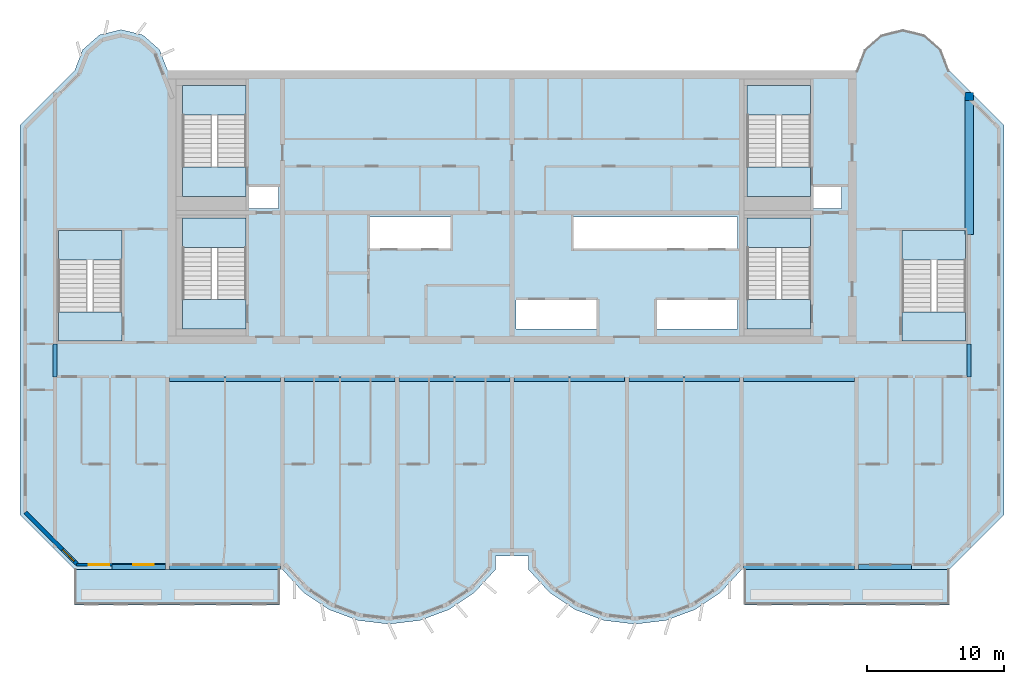
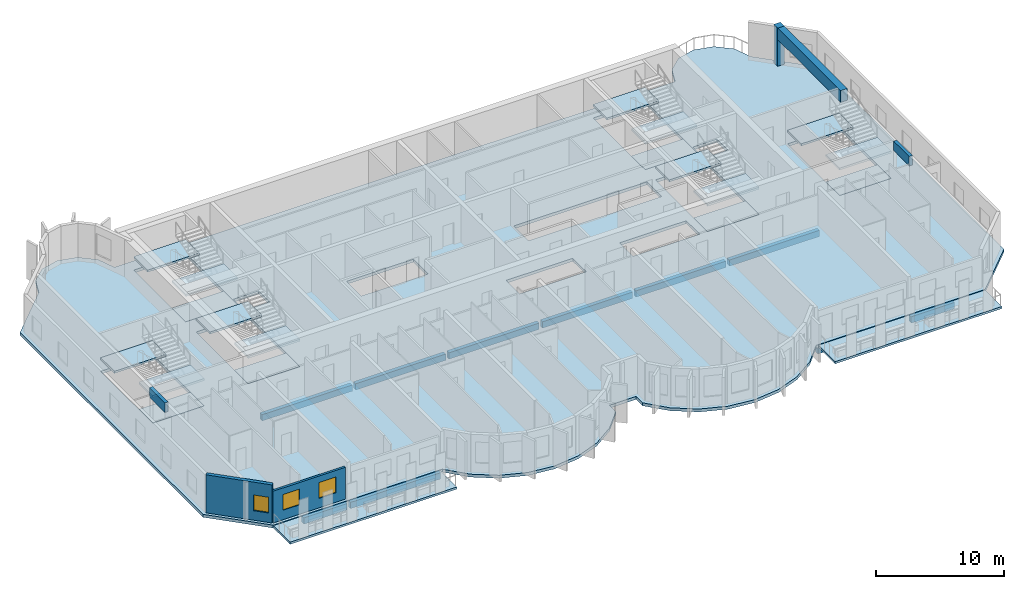
# One storey, part 1 of 12: 21 slabs, 13 beams, 3 windows, 2 walls, 1 column, 3 openings, 6 elements without a shape of their own.
"""IFC4 building model written with IfcOpenShell, lengths in metres."""

from ifc_helpers import new_model, si_unit, direction, frame, frame_2d, origin, origin_2d, place, context, subcontext, project, spatial, polyline, rectangle, outline, extrude, source, transform, mapped, material, layer, layer_set, material_profile, profile_set, type_object, element, fill, aggregate, save


model = new_model("IFC4")

# Units and contexts
model_context = context("Model", 3, precision=1e-05, world=origin(), true_north=direction((0.0, 1.0)))
body_context = subcontext(model_context, "Body", "Model", "MODEL_VIEW")
ifc_project = project(units=[si_unit("LENGTHUNIT", "METRE"), si_unit("AREAUNIT", "SQUARE_METRE"), si_unit("VOLUMEUNIT", "CUBIC_METRE"), si_unit("PLANEANGLEUNIT", "RADIAN"), si_unit("MASSUNIT", "GRAM", prefix="KILO")], contexts=[model_context])

# Site, building, storey
site_placement = place(None, origin())
site = spatial("IfcSite", under=ifc_project, at=site_placement, CompositionType="ELEMENT")
building_placement = place(site_placement, origin())
building = spatial("IfcBuilding", under=site, at=building_placement, Name="Vanashikhar Sky Hotel", CompositionType="ELEMENT")
storey_placement = place(building_placement, frame((0.0, 0.0, 237.39990234375)))
storey = spatial("IfcBuildingStorey", under=building, at=storey_placement, Name="L57", CompositionType="ELEMENT", Elevation=237.39990234375)

# Column
ifc_material_1 = material(Name="Concrete M50", Category="concrete")
ifc_material_profile_1 = material_profile(ifc_material_1, rectangle(XDim=0.60009765625, YDim=0.60009765625, at=origin_2d()))
ifc_profile_set_1 = profile_set([ifc_material_profile_1], Name="RC 600x600 column Concrete M50")
column_type = type_object("IfcColumnType", Name="RC 600x600 column Concrete M50", PredefinedType="COLUMN", material=ifc_profile_set_1)
shared_shape_1 = source(origin(), body_context, "Body", "SweptSolid", [
    extrude(rectangle(XDim=0.60009765625, YDim=0.60009765625, at=origin_2d()), origin(), (0.0, 0.0, 1.0), 3.6201171875),
])
column_placement = place(storey_placement, frame((83.85009765625, 40.10009765625, 0.0), z_axis=(0.0, 0.0, 1.0), x_axis=(1.0, 0.0, 0.0)))
element("IfcColumn", 1, at=column_placement, inside=storey, type_object=column_type, Name="CL-L57-CRF", PredefinedType="COLUMN", context=body_context, shape_type="MappedRepresentation", body=[
    mapped(shared_shape_1, transform((0.0, 0.0, 0.0), scale=1.0)),
])

# Beams
ifc_material_profile_2 = material_profile(ifc_material_1, rectangle(XDim=0.300048828125, YDim=0.89990234375, at=origin_2d()))
ifc_profile_set_2 = profile_set([ifc_material_profile_2], Name="RC 300x900 beam Concrete M50")
beam_type_1 = type_object("IfcBeamType", Name="RC 300x900 beam Concrete M50", PredefinedType="LINTEL", material=ifc_profile_set_2)
shared_shape_2 = source(origin(), body_context, "Body", "SweptSolid", [
    extrude(rectangle(XDim=0.300048828125, YDim=0.89990234375, at=origin_2d()), origin(), (0.0, 0.0, 1.0), 2.39990234375),
])
for number, where, z_axis, x_axis, name in (
    (2, (16.949951171875, 19.60009765625, 3.170166015625), (0.0, 1.0, 0.0), (-1.0, 0.0, 0.0), "LB-L57-XW03"),
    (3, (83.85009765625, 19.60009765625, 3.170166015625), (0.0, 1.0, 0.0), (-1.0, 0.0, 0.0), "LB-L57-XW11"),
):
    element("IfcBeam", number, at=place(storey_placement, frame(where, z_axis=z_axis, x_axis=x_axis)), inside=storey, type_object=beam_type_1, Name=name, PredefinedType="LINTEL", context=body_context, shape_type="MappedRepresentation", body=[
        mapped(shared_shape_2, transform((0.0, 0.0, 0.0), scale=1.0)),
    ])
ifc_material_profile_3 = material_profile(ifc_material_1, rectangle(XDim=0.35009765625, YDim=0.60009765625, at=origin_2d()))
ifc_profile_set_3 = profile_set([ifc_material_profile_3], Name="RC 350x600 beam Concrete M50")
beam_type_2 = type_object("IfcBeamType", Name="RC 350x600 beam Concrete M50", PredefinedType="SPANDREL", material=ifc_profile_set_3)
shared_shape_3 = source(origin(), body_context, "Body", "SweptSolid", [
    extrude(rectangle(XDim=0.35009765625, YDim=0.60009765625, at=origin_2d()), origin(), (0.0, 0.0, 1.0), 8.099853515625),
])
for number, where, z_axis, x_axis, name in (
    (4, (25.35009765625, 5.675048828125, -0.579833984375), (1.0, 0.0, 0.0), (0.0, 1.0, 0.0), "EB-L57-F01"),
    (5, (67.35009765625, 5.675048828125, -0.579833984375), (1.0, 0.0, 0.0), (0.0, 1.0, 0.0), "EB-L57-F03"),
    (6, (25.35009765625, 19.425048828125, -0.579833984375), (1.0, 0.0, 0.0), (0.0, 1.0, 0.0), "CB-L57-01"),
    (7, (50.550048828125, 19.425048828125, -0.579833984375), (1.0, 0.0, 0.0), (0.0, 1.0, 0.0), "CB-L57-04"),
    (8, (67.35009765625, 19.425048828125, -0.579833984375), (1.0, 0.0, 0.0), (0.0, 1.0, 0.0), "CB-L57-06"),
):
    element("IfcBeam", number, at=place(storey_placement, frame(where, z_axis=z_axis, x_axis=x_axis)), inside=storey, type_object=beam_type_2, Name=name, PredefinedType="SPANDREL", context=body_context, shape_type="MappedRepresentation", body=[
        mapped(shared_shape_3, transform((0.0, 0.0, 0.0), scale=1.0)),
    ])
ifc_material_profile_4 = material_profile(ifc_material_1, rectangle(XDim=0.35009765625, YDim=0.60009765625, at=origin_2d()))
ifc_profile_set_4 = profile_set([ifc_material_profile_4], Name="RC 350x600 cantilever beam Concrete M50")
beam_type_3 = type_object("IfcBeamType", Name="RC 350x600 cantilever beam Concrete M50", PredefinedType="SPANDREL", material=ifc_profile_set_4)
shared_shape_4 = source(origin(), body_context, "Body", "SweptSolid", [
    extrude(rectangle(XDim=0.35009765625, YDim=0.60009765625, at=origin_2d()), origin(), (0.0, 0.0, 1.0), 3.900146484375),
])
beam_1_placement = place(storey_placement, frame((21.14990234375, 5.675048828125, -0.579833984375), z_axis=(1.0, 0.0, 0.0), x_axis=(0.0, 1.0, 0.0)))
element("IfcBeam", 9, at=beam_1_placement, inside=storey, type_object=beam_type_3, Name="EB-L57-F02", PredefinedType="SPANDREL", context=body_context, shape_type="MappedRepresentation", body=[
    mapped(shared_shape_4, transform((0.0, 0.0, 0.0), scale=1.0)),
])
shared_shape_5 = source(origin(), body_context, "Body", "SweptSolid", [
    extrude(rectangle(XDim=0.35009765625, YDim=0.60009765625, at=origin_2d()), origin(), (0.0, 0.0, 1.0), 3.89990234375),
])
beam_2_placement = place(storey_placement, frame((75.75, 5.675048828125, -0.579833984375), z_axis=(1.0, 0.0, 0.0), x_axis=(0.0, 1.0, 0.0)))
element("IfcBeam", 10, at=beam_2_placement, inside=storey, type_object=beam_type_3, Name="EB-L57-F04", PredefinedType="SPANDREL", context=body_context, shape_type="MappedRepresentation", body=[
    mapped(shared_shape_5, transform((0.0, 0.0, 0.0), scale=1.0)),
])
shared_shape_6 = source(origin(), body_context, "Body", "SweptSolid", [
    extrude(rectangle(XDim=0.35009765625, YDim=0.60009765625, at=origin_2d()), origin(), (0.0, 0.0, 1.0), 8.10009765625),
])
for number, where, z_axis, x_axis, name in (
    (11, (33.75, 19.425048828125, -0.579833984375), (1.0, 0.0, 0.0), (0.0, 1.0, 0.0), "CB-L57-02"),
    (12, (42.14990234375, 19.425048828125, -0.579833984375), (1.0, 0.0, 0.0), (0.0, 1.0, 0.0), "CB-L57-03"),
    (13, (58.949951171875, 19.425048828125, -0.579833984375), (1.0, 0.0, 0.0), (0.0, 1.0, 0.0), "CB-L57-05"),
):
    element("IfcBeam", number, at=place(storey_placement, frame(where, z_axis=z_axis, x_axis=x_axis)), inside=storey, type_object=beam_type_2, Name=name, PredefinedType="SPANDREL", context=body_context, shape_type="MappedRepresentation", body=[
        mapped(shared_shape_6, transform((0.0, 0.0, 0.0), scale=1.0)),
    ])
ifc_material_profile_5 = material_profile(ifc_material_1, rectangle(XDim=0.60009765625, YDim=1.10009765625, at=origin_2d()))
ifc_profile_set_5 = profile_set([ifc_material_profile_5], Name="RC 600x1100 beam Concrete M50")
beam_type_4 = type_object("IfcBeamType", Name="RC 600x1100 beam Concrete M50", PredefinedType="BEAM", material=ifc_profile_set_5)
shared_shape_7 = source(origin(), body_context, "Body", "SweptSolid", [
    extrude(rectangle(XDim=0.60009765625, YDim=1.10009765625, at=origin_2d()), origin(), (0.0, 0.0, 1.0), 9.800048828125),
])
beam_3_placement = place(storey_placement, frame((83.85009765625, 30.0, 3.070068359375), z_axis=(0.0, 1.0, 0.0), x_axis=(-1.0, 0.0, 0.0)))
element("IfcBeam", 14, at=beam_3_placement, inside=storey, type_object=beam_type_4, Name="LB-L57-XW11-O1", PredefinedType="BEAM", context=body_context, shape_type="MappedRepresentation", body=[
    mapped(shared_shape_7, transform((0.0, 0.0, 0.0), scale=1.0)),
])

# Slabs
ifc_material_2 = material(Name="Concrete M40", Category="concrete")
ifc_layer_1 = layer(ifc_material_2, 0.280029296875)
ifc_layer_set_1 = layer_set([ifc_layer_1], Name="Floor slab 280 mm")
slab_type_1 = type_object("IfcSlabType", Name="Floor slab 280 mm", PredefinedType="FLOOR", material=ifc_layer_set_1)
shared_shape_8 = source(origin(), body_context, "Body", "SweptSolid", [
    extrude(outline(polyline([(49.199951171875, 5.5), (49.199951171875, 6.5), (51.60009765625, 6.5), (51.60009765625, 5.5), (53.133056640625, 3.825927734375), (55.01708984375, 2.55810546875), (57.14599609375, 1.76806640625), (59.39990234375, 1.5), (61.654052734375, 1.76806640625), (63.782958984375, 2.55810546875), (65.6669921875, 3.825927734375), (67.199951171875, 5.5), (82.39990234375, 5.5), (86.39990234375, 9.5), (86.39990234375, 38.0), (82.39990234375, 42.0), (81.81494140625, 43.527099609375), (80.587890625, 44.610107421875), (79.0, 45.0), (77.412109375, 44.610107421875), (76.18505859375, 43.527099609375), (75.60009765625, 42.0), (25.199951171875, 42.0), (24.614990234375, 43.527099609375), (23.387939453125, 44.610107421875), (21.800048828125, 45.0), (20.2119140625, 44.610107421875), (18.985107421875, 43.527099609375), (18.39990234375, 42.0), (14.39990234375, 38.0), (14.39990234375, 9.5), (18.39990234375, 5.5), (33.60009765625, 5.5), (35.133056640625, 3.825927734375), (37.01708984375, 2.55810546875), (39.14599609375, 1.76806640625), (41.39990234375, 1.5), (43.654052734375, 1.76806640625), (45.782958984375, 2.55810546875), (47.6669921875, 3.825927734375), (49.199951171875, 5.5)]), holes=[polyline([(33.300048828125, 33.60009765625), (31.050048828125, 33.60009765625), (31.050048828125, 31.89990234375), (33.300048828125, 31.89990234375), (33.300048828125, 33.60009765625)]), polyline([(39.89990234375, 31.300048828125), (39.89990234375, 29.0), (45.89990234375, 29.0), (45.89990234375, 31.300048828125), (39.89990234375, 31.300048828125)]), polyline([(50.699951171875, 25.199951171875), (50.699951171875, 23.10009765625), (56.699951171875, 23.10009765625), (56.699951171875, 25.199951171875), (50.699951171875, 25.199951171875)]), polyline([(66.89990234375, 29.0), (66.89990234375, 31.300048828125), (54.89990234375, 31.300048828125), (54.89990234375, 29.0), (66.89990234375, 29.0)]), polyline([(60.89990234375, 25.199951171875), (60.89990234375, 23.10009765625), (66.89990234375, 23.10009765625), (66.89990234375, 25.199951171875), (60.89990234375, 25.199951171875)]), polyline([(74.5, 33.60009765625), (72.35009765625, 33.60009765625), (72.35009765625, 31.89990234375), (74.5, 31.89990234375), (74.5, 33.60009765625)]), polyline([(30.949951171875, 23.10009765625), (30.949951171875, 31.199951171875), (26.300048828125, 31.199951171875), (26.300048828125, 23.10009765625), (30.949951171875, 23.10009765625)]), polyline([(72.25, 23.10009765625), (72.25, 31.199951171875), (67.60009765625, 31.199951171875), (67.60009765625, 23.10009765625), (72.25, 23.10009765625)]), polyline([(30.949951171875, 32.800048828125), (30.949951171875, 40.89990234375), (26.300048828125, 40.89990234375), (26.300048828125, 32.800048828125), (30.949951171875, 32.800048828125)]), polyline([(72.25, 32.800048828125), (72.25, 40.89990234375), (67.60009765625, 40.89990234375), (67.60009765625, 32.800048828125), (72.25, 32.800048828125)]), polyline([(83.60009765625, 22.199951171875), (83.60009765625, 30.300048828125), (78.949951171875, 30.300048828125), (78.949951171875, 22.199951171875), (83.60009765625, 22.199951171875)]), polyline([(21.85009765625, 22.199951171875), (21.85009765625, 30.300048828125), (17.199951171875, 30.300048828125), (17.199951171875, 22.199951171875), (21.85009765625, 22.199951171875)])]), origin(), (0.0, 0.0, 1.0), 0.27978515625),
])
slab_1_placement = place(storey_placement, frame((0.0, 0.0, -0.27978515625)))
element("IfcSlab", 15, at=slab_1_placement, inside=storey, type_object=slab_type_1, Name="Floor slab L57", PredefinedType="FLOOR", context=body_context, shape_type="MappedRepresentation", body=[
    mapped(shared_shape_8, transform((0.0, 0.0, 0.0), scale=1.0)),
])
ifc_layer_2 = layer(ifc_material_2, 0.199951171875)
ifc_layer_set_2 = layer_set([ifc_layer_2], Name="Balcony slab 200 mm")
slab_type_2 = type_object("IfcSlabType", Name="Balcony slab 200 mm", PredefinedType="USERDEFINED", material=ifc_layer_set_2)
shared_shape_9 = source(origin(), body_context, "Body", "SweptSolid", [
    extrude(outline(polyline([(18.39990234375, 2.89990234375), (33.39990234375, 2.89990234375), (33.39990234375, 5.5), (18.39990234375, 5.5), (18.39990234375, 2.89990234375)])), origin(), (0.0, 0.0, 1.0), 0.2001953125),
])
slab_2_placement = place(storey_placement, frame((0.0, 0.0, -0.25)))
element("IfcSlab", 16, at=slab_2_placement, inside=storey, type_object=slab_type_2, Name="Balcony slab L57 1", ObjectType="BALCONY", PredefinedType="USERDEFINED", context=body_context, shape_type="MappedRepresentation", body=[
    mapped(shared_shape_9, transform((0.0, 0.0, 0.0), scale=1.0)),
])
shared_shape_10 = source(origin(), body_context, "Body", "SweptSolid", [
    extrude(outline(polyline([(67.39990234375, 2.89990234375), (82.39990234375, 2.89990234375), (82.39990234375, 5.5), (67.39990234375, 5.5), (67.39990234375, 2.89990234375)])), origin(), (0.0, 0.0, 1.0), 0.2001953125),
])
slab_3_placement = place(storey_placement, frame((0.0, 0.0, -0.25)))
element("IfcSlab", 17, at=slab_3_placement, inside=storey, type_object=slab_type_2, Name="Balcony slab L57 2", ObjectType="BALCONY", PredefinedType="USERDEFINED", context=body_context, shape_type="MappedRepresentation", body=[
    mapped(shared_shape_10, transform((0.0, 0.0, 0.0), scale=1.0)),
])

# Stair, slabs
stair_type = type_object("IfcStairType", Name="Exit stair 2150", PredefinedType="DOUBLE_RETURN_STAIR", material=ifc_material_2)
stair_1_placement = place(storey_placement, origin())
stair_1 = element("IfcStair", 18, at=stair_1_placement, inside=storey, type_object=stair_type, Name="L57 Exit stair 1", PredefinedType="DOUBLE_RETURN_STAIR")
ifc_layer_3 = layer(ifc_material_2, 0.199951171875)
ifc_layer_set_3 = layer_set([ifc_layer_3], Name="Stair landing 200")
slab_type_3 = type_object("IfcSlabType", Name="Stair landing 200", PredefinedType="LANDING", material=ifc_layer_set_3)
shared_shape_11 = source(origin(), body_context, "Body", "SweptSolid", [
    extrude(outline(polyline([(30.949951171875, 29.050048828125), (30.949951171875, 31.199951171875), (26.300048828125, 31.199951171875), (26.300048828125, 29.050048828125), (30.949951171875, 29.050048828125)])), origin(), (0.0, 0.0, 1.0), 0.199951171875),
])
slab_4_placement = place(storey_placement, frame((0.0, 0.0, 1.10009765625)))
slab_4 = element("IfcSlab", 19, at=slab_4_placement, type_object=slab_type_3, Name="ST-C1 landing 1", PredefinedType="LANDING", context=body_context, shape_type="MappedRepresentation", body=[
    mapped(shared_shape_11, transform((0.0, 0.0, 0.0), scale=1.0)),
])
shared_shape_12 = source(origin(), body_context, "Body", "SweptSolid", [
    extrude(outline(polyline([(30.949951171875, 23.10009765625), (30.949951171875, 25.25), (26.300048828125, 25.25), (26.300048828125, 23.10009765625), (30.949951171875, 23.10009765625)])), origin(), (0.0, 0.0, 1.0), 0.199951171875),
])
slab_5_placement = place(storey_placement, frame((0.0, 0.0, 2.400146484375)))
slab_5 = element("IfcSlab", 20, at=slab_5_placement, type_object=slab_type_3, Name="ST-C1 landing 2", PredefinedType="LANDING", context=body_context, shape_type="MappedRepresentation", body=[
    mapped(shared_shape_12, transform((0.0, 0.0, 0.0), scale=1.0)),
])
aggregate(stair_1, [slab_4, slab_5])

# Slab
ifc_layer_4 = layer(ifc_material_2, 0.280029296875)
ifc_layer_set_4 = layer_set([ifc_layer_4], Name="Stair floor landing 280")
slab_type_4 = type_object("IfcSlabType", Name="Stair floor landing 280", PredefinedType="LANDING", material=ifc_layer_set_4)
shared_shape_13 = source(origin(), body_context, "Body", "SweptSolid", [
    extrude(outline(polyline([(30.949951171875, 23.10009765625), (30.949951171875, 25.25), (26.300048828125, 25.25), (26.300048828125, 23.10009765625), (30.949951171875, 23.10009765625)])), origin(), (0.0, 0.0, 1.0), 0.27978515625),
])
slab_6_placement = place(storey_placement, frame((0.0, 0.0, -0.27978515625)))
element("IfcSlab", 21, at=slab_6_placement, inside=storey, type_object=slab_type_4, Name="Exit stair 1 floor landing", PredefinedType="LANDING", context=body_context, shape_type="MappedRepresentation", body=[
    mapped(shared_shape_13, transform((0.0, 0.0, 0.0), scale=1.0)),
])

# Stair, slabs
stair_2_placement = place(storey_placement, origin())
stair_2 = element("IfcStair", 22, at=stair_2_placement, inside=storey, type_object=stair_type, Name="L57 Exit stair 2", PredefinedType="DOUBLE_RETURN_STAIR")
shared_shape_14 = source(origin(), body_context, "Body", "SweptSolid", [
    extrude(outline(polyline([(72.25, 29.050048828125), (72.25, 31.199951171875), (67.60009765625, 31.199951171875), (67.60009765625, 29.050048828125), (72.25, 29.050048828125)])), origin(), (0.0, 0.0, 1.0), 0.199951171875),
])
slab_7_placement = place(storey_placement, frame((0.0, 0.0, 1.10009765625)))
slab_7 = element("IfcSlab", 23, at=slab_7_placement, type_object=slab_type_3, Name="ST-C2 landing 1", PredefinedType="LANDING", context=body_context, shape_type="MappedRepresentation", body=[
    mapped(shared_shape_14, transform((0.0, 0.0, 0.0), scale=1.0)),
])
shared_shape_15 = source(origin(), body_context, "Body", "SweptSolid", [
    extrude(outline(polyline([(72.25, 23.10009765625), (72.25, 25.25), (67.60009765625, 25.25), (67.60009765625, 23.10009765625), (72.25, 23.10009765625)])), origin(), (0.0, 0.0, 1.0), 0.199951171875),
])
slab_8_placement = place(storey_placement, frame((0.0, 0.0, 2.400146484375)))
slab_8 = element("IfcSlab", 24, at=slab_8_placement, type_object=slab_type_3, Name="ST-C2 landing 2", PredefinedType="LANDING", context=body_context, shape_type="MappedRepresentation", body=[
    mapped(shared_shape_15, transform((0.0, 0.0, 0.0), scale=1.0)),
])
aggregate(stair_2, [slab_7, slab_8])

# Slab
shared_shape_16 = source(origin(), body_context, "Body", "SweptSolid", [
    extrude(outline(polyline([(72.25, 23.10009765625), (72.25, 25.25), (67.60009765625, 25.25), (67.60009765625, 23.10009765625), (72.25, 23.10009765625)])), origin(), (0.0, 0.0, 1.0), 0.27978515625),
])
slab_9_placement = place(storey_placement, frame((0.0, 0.0, -0.27978515625)))
element("IfcSlab", 25, at=slab_9_placement, inside=storey, type_object=slab_type_4, Name="Exit stair 2 floor landing", PredefinedType="LANDING", context=body_context, shape_type="MappedRepresentation", body=[
    mapped(shared_shape_16, transform((0.0, 0.0, 0.0), scale=1.0)),
])

# Stair, slabs
stair_3_placement = place(storey_placement, origin())
stair_3 = element("IfcStair", 26, at=stair_3_placement, inside=storey, type_object=stair_type, Name="L57 Exit stair 3", PredefinedType="DOUBLE_RETURN_STAIR")
shared_shape_17 = source(origin(), body_context, "Body", "SweptSolid", [
    extrude(outline(polyline([(21.85009765625, 28.14990234375), (21.85009765625, 30.300048828125), (17.199951171875, 30.300048828125), (17.199951171875, 28.14990234375), (21.85009765625, 28.14990234375)])), origin(), (0.0, 0.0, 1.0), 0.199951171875),
])
slab_10_placement = place(storey_placement, frame((0.0, 0.0, 1.10009765625)))
slab_10 = element("IfcSlab", 27, at=slab_10_placement, type_object=slab_type_3, Name="ST-W landing 1", PredefinedType="LANDING", context=body_context, shape_type="MappedRepresentation", body=[
    mapped(shared_shape_17, transform((0.0, 0.0, 0.0), scale=1.0)),
])
shared_shape_18 = source(origin(), body_context, "Body", "SweptSolid", [
    extrude(outline(polyline([(21.85009765625, 22.199951171875), (21.85009765625, 24.35009765625), (17.199951171875, 24.35009765625), (17.199951171875, 22.199951171875), (21.85009765625, 22.199951171875)])), origin(), (0.0, 0.0, 1.0), 0.199951171875),
])
slab_11_placement = place(storey_placement, frame((0.0, 0.0, 2.400146484375)))
slab_11 = element("IfcSlab", 28, at=slab_11_placement, type_object=slab_type_3, Name="ST-W landing 2", PredefinedType="LANDING", context=body_context, shape_type="MappedRepresentation", body=[
    mapped(shared_shape_18, transform((0.0, 0.0, 0.0), scale=1.0)),
])
aggregate(stair_3, [slab_10, slab_11])

# Slab
shared_shape_19 = source(origin(), body_context, "Body", "SweptSolid", [
    extrude(outline(polyline([(21.85009765625, 22.199951171875), (21.85009765625, 24.35009765625), (17.199951171875, 24.35009765625), (17.199951171875, 22.199951171875), (21.85009765625, 22.199951171875)])), origin(), (0.0, 0.0, 1.0), 0.27978515625),
])
slab_12_placement = place(storey_placement, frame((0.0, 0.0, -0.27978515625)))
element("IfcSlab", 29, at=slab_12_placement, inside=storey, type_object=slab_type_4, Name="Exit stair 3 floor landing", PredefinedType="LANDING", context=body_context, shape_type="MappedRepresentation", body=[
    mapped(shared_shape_19, transform((0.0, 0.0, 0.0), scale=1.0)),
])

# Stair, slabs
stair_4_placement = place(storey_placement, origin())
stair_4 = element("IfcStair", 30, at=stair_4_placement, inside=storey, type_object=stair_type, Name="L57 Exit stair 4", PredefinedType="DOUBLE_RETURN_STAIR")
shared_shape_20 = source(origin(), body_context, "Body", "SweptSolid", [
    extrude(outline(polyline([(83.60009765625, 28.14990234375), (83.60009765625, 30.300048828125), (78.949951171875, 30.300048828125), (78.949951171875, 28.14990234375), (83.60009765625, 28.14990234375)])), origin(), (0.0, 0.0, 1.0), 0.199951171875),
])
slab_13_placement = place(storey_placement, frame((0.0, 0.0, 1.10009765625)))
slab_13 = element("IfcSlab", 31, at=slab_13_placement, type_object=slab_type_3, Name="ST-E landing 1", PredefinedType="LANDING", context=body_context, shape_type="MappedRepresentation", body=[
    mapped(shared_shape_20, transform((0.0, 0.0, 0.0), scale=1.0)),
])
shared_shape_21 = source(origin(), body_context, "Body", "SweptSolid", [
    extrude(outline(polyline([(83.60009765625, 22.199951171875), (83.60009765625, 24.35009765625), (78.949951171875, 24.35009765625), (78.949951171875, 22.199951171875), (83.60009765625, 22.199951171875)])), origin(), (0.0, 0.0, 1.0), 0.199951171875),
])
slab_14_placement = place(storey_placement, frame((0.0, 0.0, 2.400146484375)))
slab_14 = element("IfcSlab", 32, at=slab_14_placement, type_object=slab_type_3, Name="ST-E landing 2", PredefinedType="LANDING", context=body_context, shape_type="MappedRepresentation", body=[
    mapped(shared_shape_21, transform((0.0, 0.0, 0.0), scale=1.0)),
])
aggregate(stair_4, [slab_13, slab_14])

# Slab
shared_shape_22 = source(origin(), body_context, "Body", "SweptSolid", [
    extrude(outline(polyline([(83.60009765625, 22.199951171875), (83.60009765625, 24.35009765625), (78.949951171875, 24.35009765625), (78.949951171875, 22.199951171875), (83.60009765625, 22.199951171875)])), origin(), (0.0, 0.0, 1.0), 0.27978515625),
])
slab_15_placement = place(storey_placement, frame((0.0, 0.0, -0.27978515625)))
element("IfcSlab", 33, at=slab_15_placement, inside=storey, type_object=slab_type_4, Name="Exit stair 4 floor landing", PredefinedType="LANDING", context=body_context, shape_type="MappedRepresentation", body=[
    mapped(shared_shape_22, transform((0.0, 0.0, 0.0), scale=1.0)),
])

# Stair, slabs
stair_5_placement = place(storey_placement, origin())
stair_5 = element("IfcStair", 34, at=stair_5_placement, inside=storey, type_object=stair_type, Name="L57 Exit stair 5", PredefinedType="DOUBLE_RETURN_STAIR")
shared_shape_23 = source(origin(), body_context, "Body", "SweptSolid", [
    extrude(outline(polyline([(30.949951171875, 38.75), (30.949951171875, 40.89990234375), (26.300048828125, 40.89990234375), (26.300048828125, 38.75), (30.949951171875, 38.75)])), origin(), (0.0, 0.0, 1.0), 0.199951171875),
])
slab_16_placement = place(storey_placement, frame((0.0, 0.0, 1.10009765625)))
slab_16 = element("IfcSlab", 35, at=slab_16_placement, type_object=slab_type_3, Name="ST-C3 landing 1", PredefinedType="LANDING", context=body_context, shape_type="MappedRepresentation", body=[
    mapped(shared_shape_23, transform((0.0, 0.0, 0.0), scale=1.0)),
])
shared_shape_24 = source(origin(), body_context, "Body", "SweptSolid", [
    extrude(outline(polyline([(30.949951171875, 32.800048828125), (30.949951171875, 34.949951171875), (26.300048828125, 34.949951171875), (26.300048828125, 32.800048828125), (30.949951171875, 32.800048828125)])), origin(), (0.0, 0.0, 1.0), 0.199951171875),
])
slab_17_placement = place(storey_placement, frame((0.0, 0.0, 2.400146484375)))
slab_17 = element("IfcSlab", 36, at=slab_17_placement, type_object=slab_type_3, Name="ST-C3 landing 2", PredefinedType="LANDING", context=body_context, shape_type="MappedRepresentation", body=[
    mapped(shared_shape_24, transform((0.0, 0.0, 0.0), scale=1.0)),
])
aggregate(stair_5, [slab_16, slab_17])

# Slab
shared_shape_25 = source(origin(), body_context, "Body", "SweptSolid", [
    extrude(outline(polyline([(30.949951171875, 32.800048828125), (30.949951171875, 34.949951171875), (26.300048828125, 34.949951171875), (26.300048828125, 32.800048828125), (30.949951171875, 32.800048828125)])), origin(), (0.0, 0.0, 1.0), 0.27978515625),
])
slab_18_placement = place(storey_placement, frame((0.0, 0.0, -0.27978515625)))
element("IfcSlab", 37, at=slab_18_placement, inside=storey, type_object=slab_type_4, Name="Exit stair 5 floor landing", PredefinedType="LANDING", context=body_context, shape_type="MappedRepresentation", body=[
    mapped(shared_shape_25, transform((0.0, 0.0, 0.0), scale=1.0)),
])

# Stair, slabs
stair_6_placement = place(storey_placement, origin())
stair_6 = element("IfcStair", 38, at=stair_6_placement, inside=storey, type_object=stair_type, Name="L57 Exit stair 6", PredefinedType="DOUBLE_RETURN_STAIR")
shared_shape_26 = source(origin(), body_context, "Body", "SweptSolid", [
    extrude(outline(polyline([(72.25, 38.75), (72.25, 40.89990234375), (67.60009765625, 40.89990234375), (67.60009765625, 38.75), (72.25, 38.75)])), origin(), (0.0, 0.0, 1.0), 0.199951171875),
])
slab_19_placement = place(storey_placement, frame((0.0, 0.0, 1.10009765625)))
slab_19 = element("IfcSlab", 39, at=slab_19_placement, type_object=slab_type_3, Name="ST-C4 landing 1", PredefinedType="LANDING", context=body_context, shape_type="MappedRepresentation", body=[
    mapped(shared_shape_26, transform((0.0, 0.0, 0.0), scale=1.0)),
])
shared_shape_27 = source(origin(), body_context, "Body", "SweptSolid", [
    extrude(outline(polyline([(72.25, 32.800048828125), (72.25, 34.949951171875), (67.60009765625, 34.949951171875), (67.60009765625, 32.800048828125), (72.25, 32.800048828125)])), origin(), (0.0, 0.0, 1.0), 0.199951171875),
])
slab_20_placement = place(storey_placement, frame((0.0, 0.0, 2.400146484375)))
slab_20 = element("IfcSlab", 40, at=slab_20_placement, type_object=slab_type_3, Name="ST-C4 landing 2", PredefinedType="LANDING", context=body_context, shape_type="MappedRepresentation", body=[
    mapped(shared_shape_27, transform((0.0, 0.0, 0.0), scale=1.0)),
])
aggregate(stair_6, [slab_19, slab_20])

# Slab
shared_shape_28 = source(origin(), body_context, "Body", "SweptSolid", [
    extrude(outline(polyline([(72.25, 32.800048828125), (72.25, 34.949951171875), (67.60009765625, 34.949951171875), (67.60009765625, 32.800048828125), (72.25, 32.800048828125)])), origin(), (0.0, 0.0, 1.0), 0.27978515625),
])
slab_21_placement = place(storey_placement, frame((0.0, 0.0, -0.27978515625)))
element("IfcSlab", 41, at=slab_21_placement, inside=storey, type_object=slab_type_4, Name="Exit stair 6 floor landing", PredefinedType="LANDING", context=body_context, shape_type="MappedRepresentation", body=[
    mapped(shared_shape_28, transform((0.0, 0.0, 0.0), scale=1.0)),
])

# Wall, openings, windows
ifc_layer_5 = layer(ifc_material_1, 0.199951171875)
ifc_layer_set_5 = layer_set([ifc_layer_5], Name="Front window wall 200")
wall_type_1 = type_object("IfcWallType", Name="Front window wall 200", PredefinedType="SOLIDWALL", material=ifc_layer_set_5)
shared_shape_29 = source(origin(), body_context, "Body", "SweptSolid", [
    extrude(rectangle(XDim=6.505126953125, YDim=0.199951171875, at=frame_2d((3.25244140625, 0.0))), origin(), (0.0, 0.0, 1.0), 3.02001953125),
])
wall_1_placement = place(storey_placement, frame((18.544921875, 5.85009765625, 0.0), z_axis=(0.0, 0.0, 1.0), x_axis=(1.0, 0.0, 0.0)))
wall_1 = element("IfcWall", 42, at=wall_1_placement, inside=storey, type_object=wall_type_1, Name="Front window wall", PredefinedType="SOLIDWALL", context=body_context, shape_type="MappedRepresentation", body=[
    mapped(shared_shape_29, transform((0.0, 0.0, 0.0), scale=1.0)),
])
shared_shape_30 = source(origin(), body_context, "Body", "SweptSolid", [
    extrude(rectangle(XDim=1.5, YDim=1.5, at=frame_2d((0.75, 0.75))), frame((0.0, 0.10986328125, 0.0), z_axis=(0.0, -1.0, 0.0), x_axis=(1.0, 0.0, 0.0)), (0.0, 0.0, 1.0), 0.219970703125),
])
opening_1_placement = place(wall_1_placement, frame((0.876220703125, 0.0, 0.89990234375)))
opening_1 = element("IfcOpeningElement", 43, at=opening_1_placement, cuts=wall_1, Name="Opening WN-1", PredefinedType="OPENING", context=body_context, shape_type="MappedRepresentation", body=[
    mapped(shared_shape_30, transform((0.0, 0.0, 0.0), scale=1.0)),
])
opening_2_placement = place(wall_1_placement, frame((4.128662109375, 0.0, 0.89990234375)))
opening_2 = element("IfcOpeningElement", 44, at=opening_2_placement, cuts=wall_1, Name="Opening WN-1", PredefinedType="OPENING", context=body_context, shape_type="MappedRepresentation", body=[
    mapped(shared_shape_30, transform((0.0, 0.0, 0.0), scale=1.0)),
])
ifc_material_3 = material(Name="Glass", Category="glass")
window_type_1 = type_object("IfcWindowType", Name="Window 1500 x 1500", PartitioningType="SINGLE_PANEL", PredefinedType="WINDOW", material=ifc_material_3)
shared_shape_31 = source(origin(), body_context, "Body", "SweptSolid", [
    extrude(rectangle(XDim=1.5, YDim=1.5, at=frame_2d((0.75, 0.75))), frame((0.0, 0.030029296875, 0.0), z_axis=(0.0, -1.0, 0.0), x_axis=(1.0, 0.0, 0.0)), (0.0, 0.0, 1.0), 0.06005859375),
])
window_1_placement = place(opening_1_placement, origin())
window_1 = element("IfcWindow", 45, at=window_1_placement, inside=storey, type_object=window_type_1, Name="Window WN-1", OverallHeight=1.5, OverallWidth=1.5, PartitioningType="SINGLE_PANEL", PredefinedType="WINDOW", context=body_context, shape_type="MappedRepresentation", body=[
    mapped(shared_shape_31, transform((0.0, 0.0, 0.0), scale=1.0)),
])
fill(opening_1, window_1)
window_2_placement = place(opening_2_placement, origin())
window_2 = element("IfcWindow", 46, at=window_2_placement, inside=storey, type_object=window_type_1, Name="Window WN-1", OverallHeight=1.5, OverallWidth=1.5, PartitioningType="SINGLE_PANEL", PredefinedType="WINDOW", context=body_context, shape_type="MappedRepresentation", body=[
    mapped(shared_shape_31, transform((0.0, 0.0, 0.0), scale=1.0)),
])
fill(opening_2, window_2)

# Wall, opening, window
ifc_layer_6 = layer(ifc_material_1, 0.300048828125)
ifc_layer_set_6 = layer_set([ifc_layer_6], Name="Lobe wall 300")
wall_type_2 = type_object("IfcWallType", Name="Lobe wall 300", PredefinedType="SOLIDWALL", material=ifc_layer_set_6)
shared_shape_32 = source(origin(), body_context, "Body", "SweptSolid", [
    extrude(rectangle(XDim=5.32568359375, YDim=0.300048828125, at=frame_2d((2.662841796875, 0.0))), origin(), (0.0, 0.0, 1.0), 3.6201171875),
])
wall_2_placement = place(storey_placement, frame((14.800048828125, 9.665771484375, 0.0), z_axis=(0.0, 0.0, 1.0), x_axis=(0.707083859269, -0.707129702361, 0.0)))
wall_2 = element("IfcWall", 47, at=wall_2_placement, inside=storey, type_object=wall_type_2, Name="Corner wall", PredefinedType="SOLIDWALL", context=body_context, shape_type="MappedRepresentation", body=[
    mapped(shared_shape_32, transform((0.0, 0.0, 0.0), scale=1.0)),
])
shared_shape_33 = source(origin(), body_context, "Body", "SweptSolid", [
    extrude(rectangle(XDim=1.199951171875, YDim=1.5, at=frame_2d((0.60009765625, 0.75))), frame((0.0, 0.16015625, 0.0), z_axis=(0.0, -1.0, 0.0), x_axis=(1.0, 0.0, 0.0)), (0.0, 0.0, 1.0), 0.320068359375),
])
opening_3_placement = place(wall_2_placement, frame((3.8330078125, 0.0, 0.89990234375)))
opening_3 = element("IfcOpeningElement", 48, at=opening_3_placement, cuts=wall_2, Name="Opening WN-3", PredefinedType="OPENING", context=body_context, shape_type="MappedRepresentation", body=[
    mapped(shared_shape_33, transform((0.0, 0.0, 0.0), scale=1.0)),
])
window_type_2 = type_object("IfcWindowType", Name="Corridor end window 1200 x 1500", PartitioningType="SINGLE_PANEL", PredefinedType="WINDOW", material=ifc_material_3)
shared_shape_34 = source(origin(), body_context, "Body", "SweptSolid", [
    extrude(rectangle(XDim=1.199951171875, YDim=1.5, at=frame_2d((0.60009765625, 0.75))), frame((0.0, 0.030029296875, 0.0), z_axis=(0.0, -1.0, 0.0), x_axis=(1.0, 0.0, 0.0)), (0.0, 0.0, 1.0), 0.06005859375),
])
window_3_placement = place(opening_3_placement, origin())
window_3 = element("IfcWindow", 49, at=window_3_placement, inside=storey, type_object=window_type_2, Name="Window WN-3", OverallHeight=1.5, OverallWidth=1.199951171875, PartitioningType="SINGLE_PANEL", PredefinedType="WINDOW", context=body_context, shape_type="MappedRepresentation", body=[
    mapped(shared_shape_34, transform((0.0, 0.0, 0.0), scale=1.0)),
])
fill(opening_3, window_3)

save(model, "model.ifc")
